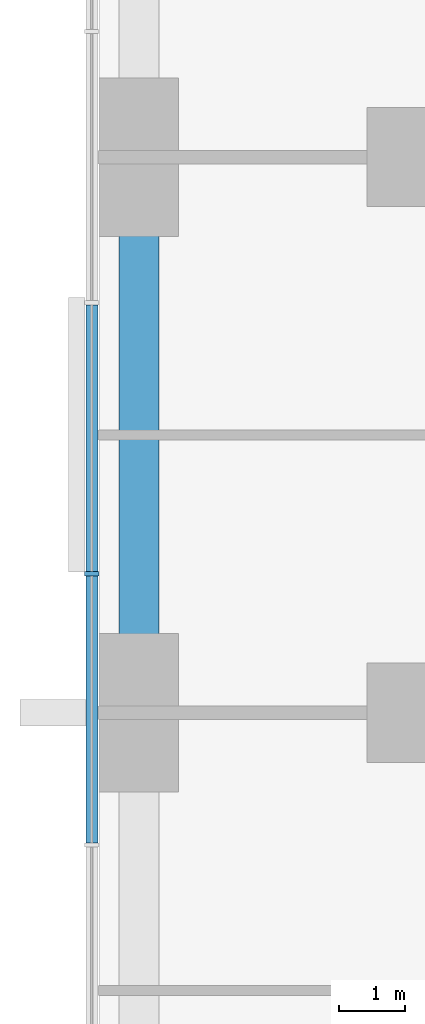
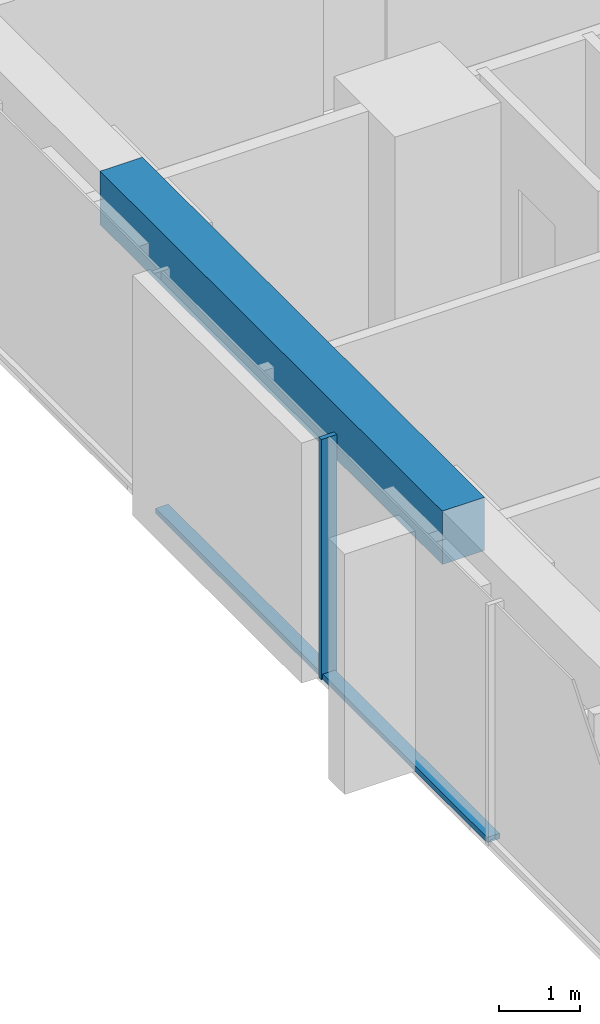
# One storey, part 3 of 14: 3 members, 1 beam, 1 element without a shape of its own.
"""IFC4 building model written with IfcOpenShell, lengths in metres."""

import ifcopenshell
import ifcopenshell.guid

model = None  # the IFC model being written
_history = None  # IfcOwnerHistory: only IFC2X3 demands one
_inside = {}  # id of a spatial element -> (the spatial element, [elements in it])
_under = {}  # id of a project, library or spatial element -> (it, [spatial elements below it])
_declared = {}  # id of a project -> (the project, [libraries it declares])
_typed = {}  # id of a type object -> (the type object, [elements of that type])
_made_of = {}  # id of a material, layer set ... -> (it, [elements and type objects made of it])


def new_model(schema):
    """Start an empty IFC model of exactly this schema.

    Asked for "IFC4X3", IfcOpenShell would pick the latest addendum, in which some entities
    have other attributes; the version numbers below select the first issue.
    IFC2X3 requires an IfcOwnerHistory on every rooted entity: one is made here for all.
    """
    global model, _history
    if schema == "IFC4X3":
        model = ifcopenshell.file(schema_version=(4, 3, 0, 0))
    else:
        model = ifcopenshell.file(schema=schema)
    _inside.clear()
    _under.clear()
    _declared.clear()
    _typed.clear()
    _made_of.clear()
    _history = None
    if model.schema == "IFC2X3":
        org = make("IfcOrganization", Name="unknown")
        user = make(
            "IfcPersonAndOrganization",
            ThePerson=make("IfcPerson", FamilyName="unknown"),
            TheOrganization=org,
        )
        app = make(
            "IfcApplication",
            ApplicationDeveloper=org,
            Version="unknown",
            ApplicationFullName="unknown",
            ApplicationIdentifier="unknown",
        )
        _history = make(
            "IfcOwnerHistory",
            OwningUser=user,
            OwningApplication=app,
            ChangeAction="ADDED",
            CreationDate=0,
        )
    return model


def make(cls, **values):
    """One entity of the class cls with the attributes given. An attribute that is None is left unset."""
    return model.create_entity(
        cls, **{name: value for name, value in values.items() if value is not None}
    )


def rooted(cls, **values):
    """An entity with a GlobalId (a new one), such as an element, a storey or a relation."""
    return make(cls, GlobalId=ifcopenshell.guid.new(), OwnerHistory=_history, **values)


def si_unit(unit_type, name, prefix=None):
    """IfcSIUnit, for example si_unit("LENGTHUNIT", "METRE", prefix="MILLI")."""
    return make("IfcSIUnit", UnitType=unit_type, Prefix=prefix, Name=name)


def assignment(units):
    """IfcUnitAssignment: the units of a project."""
    return None if units is None else make("IfcUnitAssignment", Units=units)


def point(xyz):
    """IfcCartesianPoint."""
    return None if xyz is None else make("IfcCartesianPoint", Coordinates=xyz)


def direction(xyz):
    """IfcDirection."""
    return None if xyz is None else make("IfcDirection", DirectionRatios=xyz)


def frame(location, z_axis=None, x_axis=None):
    """IfcAxis2Placement3D, a coordinate frame: its origin and axes. An axis left out is left unset."""
    return make(
        "IfcAxis2Placement3D",
        Location=point(location),
        Axis=direction(z_axis),
        RefDirection=direction(x_axis),
    )


def frame_2d(location, x_axis=None):
    """IfcAxis2Placement2D, a coordinate frame in the plane: its origin and x axis."""
    return make(
        "IfcAxis2Placement2D", Location=point(location), RefDirection=direction(x_axis)
    )


def origin():
    """The frame at (0, 0, 0) with its axes left unset."""
    return frame((0.0, 0.0, 0.0))


def origin_2d():
    """The frame at (0, 0) in the plane with its x axis left unset."""
    return frame_2d((0.0, 0.0))


def place(relative_to, where):
    """IfcLocalPlacement: puts the frame where relative to a parent placement (None: the world)."""
    return make(
        "IfcLocalPlacement", PlacementRelTo=relative_to, RelativePlacement=where
    )


def context(
    kind, dimensions, precision=None, world=None, true_north=None, identifier=None
):
    """IfcGeometricRepresentationContext, for example the 3D "Model" context."""
    return make(
        "IfcGeometricRepresentationContext",
        ContextIdentifier=identifier,
        ContextType=kind,
        CoordinateSpaceDimension=dimensions,
        Precision=precision,
        WorldCoordinateSystem=world,
        TrueNorth=true_north,
    )


def subcontext(parent, identifier, kind, view, scale=None):
    """IfcGeometricRepresentationSubContext, for example "Body" below "Model"."""
    return make(
        "IfcGeometricRepresentationSubContext",
        ContextIdentifier=identifier,
        ContextType=kind,
        ParentContext=parent,
        TargetScale=scale,
        TargetView=view,
    )


def project(units=None, contexts=None):
    """IfcProject with its units and contexts."""
    return rooted(
        "IfcProject",
        Name="project",
        RepresentationContexts=contexts,
        UnitsInContext=assignment(units),
    )


def spatial(cls, under=None, at=None, **own):
    """A site, building, storey or space (cls), placed at a placement, below another one or the project."""
    s = rooted(cls, ObjectPlacement=at, **own)
    if under is not None:
        _under.setdefault(under.id(), (under, []))[1].append(s)
    return s


def profile(cls, at=None, kind="AREA", **sizes):
    """A parametric profile (cls). Its sizes go by their IFC names, for example OverallWidth=200.0."""
    return make(cls, ProfileType=kind, Position=at, **sizes)


def rectangle(**sizes):
    """IfcRectangleProfileDef."""
    return profile("IfcRectangleProfileDef", **sizes)


def extrude(swept, where, along, depth):
    """IfcExtrudedAreaSolid: the profile swept, set in the frame where, extruded along a direction by depth."""
    return make(
        "IfcExtrudedAreaSolid",
        SweptArea=swept,
        Position=where,
        ExtrudedDirection=direction(along),
        Depth=depth,
    )


def shape(context_of_items, identifier, shape_type, items):
    """IfcShapeRepresentation: the items that make up one representation, for example the "Body"."""
    return make(
        "IfcShapeRepresentation",
        ContextOfItems=context_of_items,
        RepresentationIdentifier=identifier,
        RepresentationType=shape_type,
        Items=items,
    )


def material(Name=None, Category=None):
    """IfcMaterial."""
    return make("IfcMaterial", Name=Name, Category=Category)


def material_profile(
    of_material, cross_section, Name=None, Category=None, Priority=None
):
    """IfcMaterialProfile: a cross section and its material."""
    return make(
        "IfcMaterialProfile",
        Name=Name,
        Material=of_material,
        Profile=cross_section,
        Priority=Priority,
        Category=Category,
    )


def profile_set(profiles, Name=None, composite=None):
    """IfcMaterialProfileSet."""
    return make(
        "IfcMaterialProfileSet",
        Name=Name,
        MaterialProfiles=profiles,
        CompositeProfile=composite,
    )


def made_of(thing, what):
    """Note that an element or type object is made of a material, layer set ...; save() writes the relation."""
    if what is not None:
        _made_of.setdefault(what.id(), (what, []))[1].append(thing)
    return thing


def type_object(cls, material=None, **own):
    """A type object (cls), such as IfcWallType, which elements share."""
    return made_of(rooted(cls, **own), material)


def element(
    cls,
    number,
    at=None,
    inside=None,
    cuts=None,
    type_object=None,
    material=None,
    context=None,
    identifier="Body",
    shape_type=None,
    held_by="IfcProductDefinitionShape",
    body=None,
    shapes=None,
    **own,
):
    """One element of the class cls, such as IfcWall. Its Tag is "e" and its number.

    at: its placement. inside: the storey or other place that contains it. cuts: it is an
    opening in that element (IfcRelVoidsElement). A single representation is given by context,
    identifier, shape_type and body (its items); several are given by shapes. held_by: the class
    of the entity that holds the representations. save() writes the other relations.
    """
    e = rooted(cls, Tag="e%d" % number, ObjectPlacement=at, **own)
    if body is not None:
        shapes = [shape(context, identifier, shape_type, body)]
    if shapes is not None:
        e.Representation = make(held_by, Representations=shapes)
    if inside is not None:
        _inside.setdefault(inside.id(), (inside, []))[1].append(e)
    if cuts is not None:
        rooted(
            "IfcRelVoidsElement", RelatingBuildingElement=cuts, RelatedOpeningElement=e
        )
    if type_object is not None:
        _typed.setdefault(type_object.id(), (type_object, []))[1].append(e)
    return made_of(e, material)


def aggregate(whole, parts):
    """IfcRelAggregates: a whole, such as a stair, and the parts it consists of."""
    return rooted("IfcRelAggregates", RelatingObject=whole, RelatedObjects=parts)


def save(model, path):
    """Write the relations noted so far, then the file.

    IfcRelAggregates (storeys below a building ...), IfcRelContainedInSpatialStructure (elements
    in a storey), IfcRelDefinesByType, IfcRelAssociatesMaterial and IfcRelDeclares: one each for
    every whole, place, type object, material and project.
    """
    for whole, parts in _under.values():
        aggregate(whole, parts)
    for where, things in _inside.values():
        rooted(
            "IfcRelContainedInSpatialStructure",
            RelatedElements=things,
            RelatingStructure=where,
        )
    for kind, things in _typed.values():
        rooted("IfcRelDefinesByType", RelatedObjects=things, RelatingType=kind)
    for what, things in _made_of.values():
        rooted("IfcRelAssociatesMaterial", RelatedObjects=things, RelatingMaterial=what)
    for by, libraries in _declared.values():
        rooted("IfcRelDeclares", RelatingContext=by, RelatedDefinitions=libraries)
    model.write(path)


model = new_model("IFC4")

# Units and contexts
model_context = context("Model", 3, precision=1e-05, world=origin(), true_north=direction((0.0, 1.0)))
body_context = subcontext(model_context, "Body", "Model", "MODEL_VIEW")
ifc_project = project(units=[si_unit("LENGTHUNIT", "METRE"), si_unit("AREAUNIT", "SQUARE_METRE"), si_unit("VOLUMEUNIT", "CUBIC_METRE"), si_unit("PLANEANGLEUNIT", "RADIAN"), si_unit("MASSUNIT", "GRAM", prefix="KILO")], contexts=[model_context])

# Site, building, storey
site_placement = place(None, origin())
site = spatial("IfcSite", under=ifc_project, at=site_placement, CompositionType="ELEMENT")
building_placement = place(site_placement, origin())
building = spatial("IfcBuilding", under=site, at=building_placement, Name="Dunama Terrace Hotel", CompositionType="ELEMENT")
storey_placement = place(building_placement, frame((0.0, 0.0, 108.0)))
storey = spatial("IfcBuildingStorey", under=building, at=storey_placement, Name="L27", CompositionType="ELEMENT", Elevation=108.0)

# Curtain wall, members
ifc_material_1 = material(Name="Aluminium curtain wall system", Category="aluminium")
curtain_wall_type = type_object("IfcCurtainWallType", Name="Unitised fritted glass wall CW-B", PredefinedType="NOTDEFINED", material=ifc_material_1)
curtain_wall_placement = place(storey_placement, origin())
curtain_wall = element("IfcCurtainWall", 1, at=curtain_wall_placement, inside=storey, type_object=curtain_wall_type, Name="Unitised fritted glass wall CW-B L27", PredefinedType="NOTDEFINED")
ifc_material_2 = material(Name="Aluminium mullion", Category="aluminium")
ifc_material_profile_1 = material_profile(ifc_material_2, rectangle(XDim=0.06494140625, YDim=0.219970703125, at=origin_2d()), Name="CWB MULLION 65X220")
ifc_profile_set_1 = profile_set([ifc_material_profile_1], Name="Aluminium mullion")
member_type_1 = type_object("IfcMemberType", Name="CWB mullion 65x220", PredefinedType="MULLION", material=ifc_profile_set_1)
member_1_placement = place(storey_placement, frame((-0.110107421875, 27.300048828125, 0.0), z_axis=(0.0, 0.0, 1.0), x_axis=(0.0, -1.0, 0.0)))
member_1 = element("IfcMember", 2, at=member_1_placement, type_object=member_type_1, Name="CWB mullion", PredefinedType="MULLION", context=body_context, shape_type="SweptSolid", body=[
    extrude(rectangle(XDim=0.06494140625, YDim=0.219970703125, at=origin_2d()), origin(), (0.0, 0.0, 1.0), 3.60009765625),
])
ifc_material_3 = material(Name="Aluminium transom", Category="aluminium")
ifc_material_profile_2 = material_profile(ifc_material_3, rectangle(XDim=0.179931640625, YDim=0.080078125, at=origin_2d()), Name="CWB TRANSOM 180X80")
ifc_profile_set_2 = profile_set([ifc_material_profile_2], Name="Aluminium transom")
member_type_2 = type_object("IfcMemberType", Name="CWB transom 180x80", PredefinedType="USERDEFINED", material=ifc_profile_set_2)
member_2_placement = place(storey_placement, frame((-0.110107421875, 31.366943359375, 0.0400390625), z_axis=(0.0, -1.0, 0.0), x_axis=(1.0, 0.0, 0.0)))
member_2 = element("IfcMember", 3, at=member_2_placement, type_object=member_type_2, Name="CWB transom", ObjectType="TRANSOM", PredefinedType="USERDEFINED", context=body_context, shape_type="SweptSolid", body=[
    extrude(rectangle(XDim=0.179931640625, YDim=0.080078125, at=origin_2d()), origin(), (0.0, 0.0, 1.0), 4.034912109375),
])
member_3_placement = place(storey_placement, frame((-0.110107421875, 27.26806640625, 0.0400390625), z_axis=(0.0, -1.0, 0.0), x_axis=(1.0, 0.0, 0.0)))
member_3 = element("IfcMember", 4, at=member_3_placement, type_object=member_type_2, Name="CWB transom", ObjectType="TRANSOM", PredefinedType="USERDEFINED", context=body_context, shape_type="SweptSolid", body=[
    extrude(rectangle(XDim=0.179931640625, YDim=0.080078125, at=origin_2d()), origin(), (0.0, 0.0, 1.0), 4.03515625),
])
aggregate(curtain_wall, [member_1, member_2, member_3])

# Beam
ifc_material_4 = material(Name="Concrete C40/50", Category="concrete")
ifc_material_profile_3 = material_profile(ifc_material_4, rectangle(XDim=0.60009765625, YDim=0.800048828125, at=origin_2d()), Name="RC 600x800")
ifc_profile_set_3 = profile_set([ifc_material_profile_3], Name="Concrete C40/50")
beam_type = type_object("IfcBeamType", Name="Edge beam RC 600x800", PredefinedType="SPANDREL", material=ifc_profile_set_3)
beam_placement = place(storey_placement, frame((0.60009765625, 25.199951171875, 3.199951171875), z_axis=(0.0, 1.0, 0.0), x_axis=(-1.0, 0.0, 0.0)))
element("IfcBeam", 5, at=beam_placement, inside=storey, type_object=beam_type, Name="Edge beam under L28", PredefinedType="SPANDREL", context=body_context, shape_type="SweptSolid", body=[
    extrude(rectangle(XDim=0.60009765625, YDim=0.800048828125, at=origin_2d()), origin(), (0.0, 0.0, 1.0), 8.400146484375),
])

save(model, "model.ifc")
